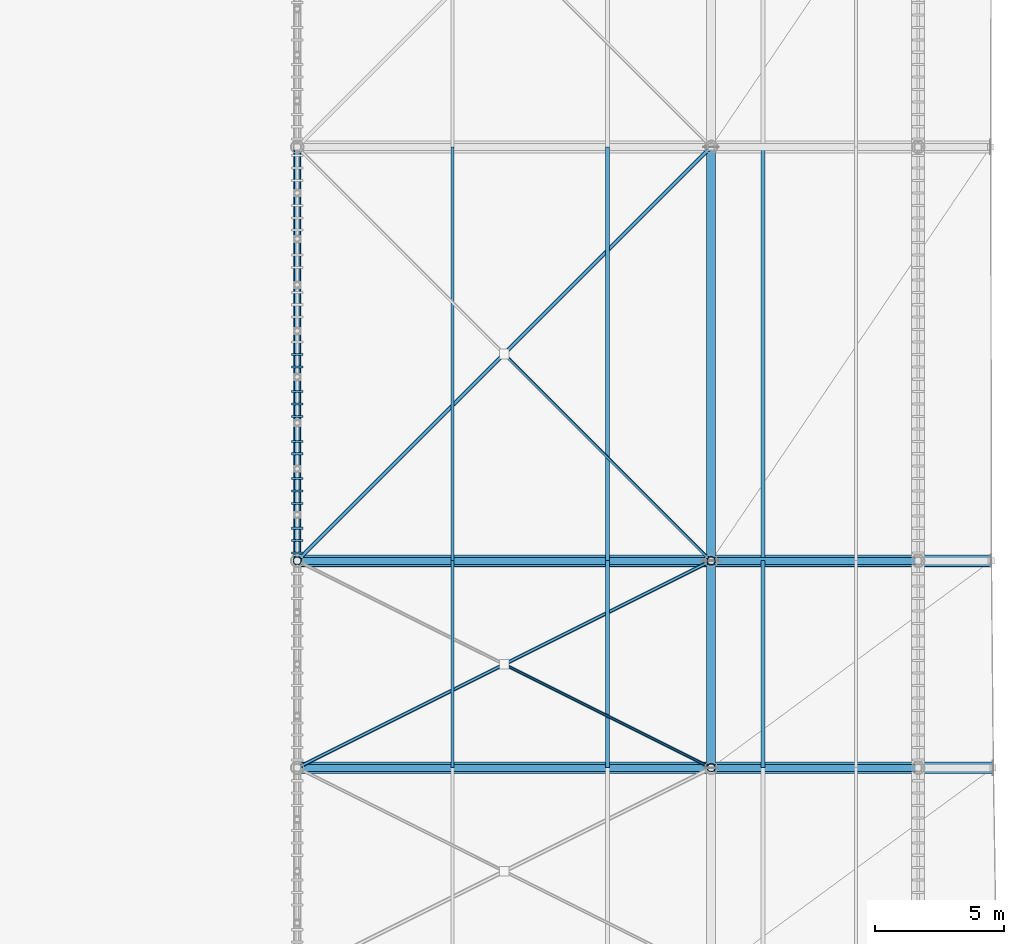
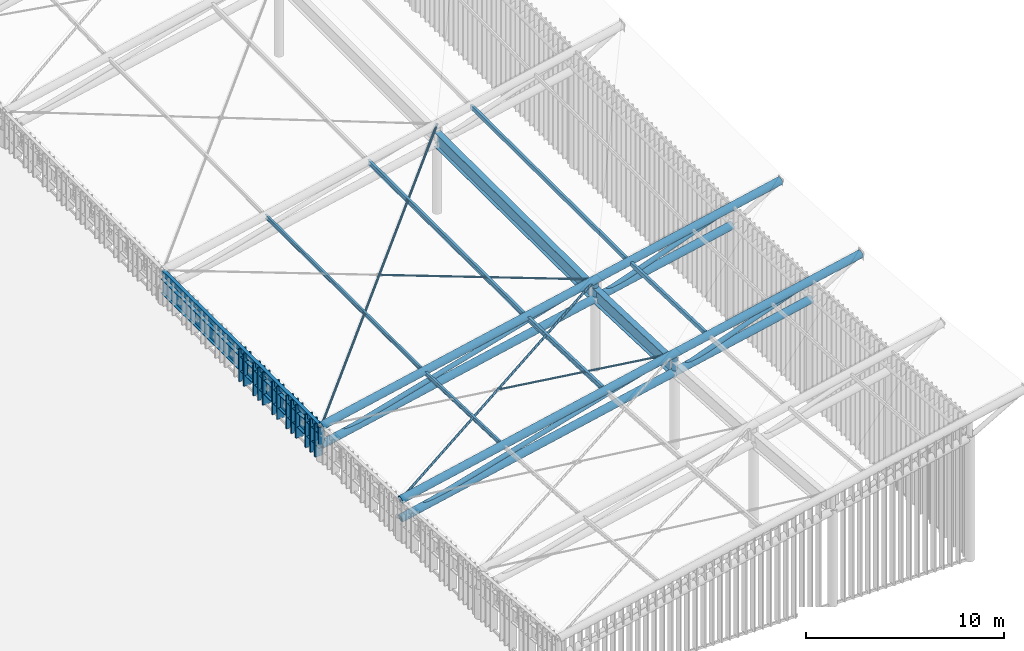
# One storey, part 5 of 25: 34 members, 4 beams.
"""IFC4 building model written with IfcOpenShell, lengths in metres."""

from ifc_helpers import new_model, si_unit, direction, frame, origin, origin_2d, place, context, subcontext, project, spatial, rectangle, hollow_rectangle, hollow_circle, i_section, extrude, material, material_profile, profile_set, type_object, element, save


model = new_model("IFC4")

# Units and contexts
model_context = context("Model", 3, precision=1e-05, world=origin(), true_north=direction((0.0, 1.0)))
body_context = subcontext(model_context, "Body", "Model", "MODEL_VIEW")
ifc_project = project(units=[si_unit("LENGTHUNIT", "METRE"), si_unit("AREAUNIT", "SQUARE_METRE"), si_unit("VOLUMEUNIT", "CUBIC_METRE"), si_unit("PLANEANGLEUNIT", "RADIAN"), si_unit("MASSUNIT", "GRAM", prefix="KILO")], contexts=[model_context])

# Site, building, storey
site_placement = place(None, origin())
site = spatial("IfcSite", under=ifc_project, at=site_placement, CompositionType="ELEMENT")
building_placement = place(site_placement, origin())
building = spatial("IfcBuilding", under=site, at=building_placement, Name="Haebicheon Civic Stadium", CompositionType="ELEMENT")
storey_placement = place(building_placement, frame((0.0, 0.0, 31.199951171875)))
storey = spatial("IfcBuildingStorey", under=building, at=storey_placement, Name="RF", CompositionType="ELEMENT", Elevation=31.199951171875)

# Members
ifc_material_1 = material(Name="White painted steel SM490", Category="steel")
ifc_material_profile_1 = material_profile(ifc_material_1, hollow_circle(Radius=0.05712890625, WallThickness=0.006103515625, at=origin_2d()), Name="CHS-114.3x6.0")
ifc_profile_set_1 = profile_set([ifc_material_profile_1], Name="White painted steel SM490")
member_type_1 = type_object("IfcMemberType", Name="BRC-CHS114", PredefinedType="BRACE", material=ifc_profile_set_1)
member_1_placement = place(storey_placement, frame((56.06298828125, 67.968017578125, 3.95703125), z_axis=(0.875639424288, -0.437765843216, 0.204001630254), x_axis=(0.447169574081, 0.894449200355, 0.0)))
element("IfcMember", 1, at=member_1_placement, inside=storey, type_object=member_type_1, material=ifc_profile_set_1, Name="BR114 diagonal brace CAN-WEST canopy bay 3 B2", PredefinedType="BRACE", context=body_context, shape_type="SweptSolid", body=[
    extrude(hollow_circle(Radius=0.05712890625, WallThickness=0.006103515625, at=origin_2d()), origin(), (0.0, 0.0, 1.0), 9.064208984375),
])
member_2_placement = place(storey_placement, frame((56.050048828125, 79.949951171875, 3.760009765625), z_axis=(0.698626478489, -0.698626478489, 0.154408831056), x_axis=(0.707106781187, 0.707106781187, 0.0)))
element("IfcMember", 2, at=member_2_placement, inside=storey, type_object=member_type_1, material=ifc_profile_set_1, Name="BR114 diagonal brace CAN-WEST canopy bay 4 B2", PredefinedType="BRACE", context=body_context, shape_type="SweptSolid", body=[
    extrude(hollow_circle(Radius=0.05712890625, WallThickness=0.006103515625, at=origin_2d()), origin(), (0.0, 0.0, 1.0), 11.37939453125),
])
ifc_material_2 = material(Name="White painted steel SM490", Category="steel")
ifc_material_profile_2 = material_profile(ifc_material_2, hollow_circle(Radius=0.06982421875, WallThickness=0.006591796875, at=origin_2d()), Name="CHS-139.8x6.6")
ifc_profile_set_2 = profile_set([ifc_material_profile_2], Name="White painted steel SM490")
member_type_2 = type_object("IfcMemberType", Name="BRC-CHS139", PredefinedType="BRACE", material=ifc_profile_set_2)
member_3_placement = place(storey_placement, frame((48.0, 64.0, 2.365966796875), z_axis=(0.880865007472, 0.440432503736, 0.173482126639), x_axis=(-0.4472135955, 0.894427191, 0.0)))
element("IfcMember", 3, at=member_3_placement, inside=storey, type_object=member_type_2, material=ifc_profile_set_2, Name="BR139 diagonal brace CAN-WEST canopy bay 3 A", PredefinedType="BRACE", context=body_context, shape_type="SweptSolid", body=[
    extrude(hollow_circle(Radius=0.06982421875, WallThickness=0.006591796875, at=origin_2d()), origin(), (0.0, 0.0, 1.0), 18.1640625),
])
member_4_placement = place(storey_placement, frame((48.0, 72.0, 2.0771484375), z_axis=(0.699509251309, 0.699509251309, 0.146197177356), x_axis=(-0.707106781187, 0.707106781187, 0.0)))
element("IfcMember", 4, at=member_4_placement, inside=storey, type_object=member_type_2, material=ifc_profile_set_2, Name="BR139 diagonal brace CAN-WEST canopy bay 4 A", PredefinedType="BRACE", context=body_context, shape_type="SweptSolid", body=[
    extrude(hollow_circle(Radius=0.06982421875, WallThickness=0.006591796875, at=origin_2d()), origin(), (0.0, 0.0, 1.0), 22.873291015625),
])
ifc_material_3 = material(Name="White painted steel SM490", Category="steel")
ifc_material_profile_3 = material_profile(ifc_material_3, hollow_circle(Radius=0.1337890625, WallThickness=0.011962890625, at=origin_2d()), Name="CHS-267.4x12.0")
ifc_profile_set_3 = profile_set([ifc_material_profile_3], Name="White painted steel SM490")
member_type_3 = type_object("IfcMemberType", Name="BRC-CHS267", PredefinedType="BRACE", material=ifc_profile_set_3)
member_5_placement = place(storey_placement, frame((48.0, 64.0, 1.216064453125), z_axis=(0.961227278426, 0.0, 0.275757355678), x_axis=(0.0, 1.0, 0.0)))
element("IfcMember", 5, at=member_5_placement, inside=storey, type_object=member_type_3, material=ifc_profile_set_3, Name="BR267 diagonal brace CAN-WEST truss 3 D1", PredefinedType="BRACE", context=body_context, shape_type="SweptSolid", body=[
    extrude(hollow_circle(Radius=0.1337890625, WallThickness=0.011962890625, at=origin_2d()), origin(), (0.0, 0.0, 1.0), 16.6455078125),
])
member_6_placement = place(storey_placement, frame((64.0, 64.0, 4.656005859375), z_axis=(0.941257424358, 0.0, 0.337689888939), x_axis=(0.0, 1.0, 0.0)))
element("IfcMember", 6, at=member_6_placement, inside=storey, type_object=member_type_3, material=ifc_profile_set_3, Name="BR267 diagonal brace CAN-WEST truss 3 D2", PredefinedType="BRACE", context=body_context, shape_type="SweptSolid", body=[
    extrude(hollow_circle(Radius=0.1337890625, WallThickness=0.011962890625, at=origin_2d()), origin(), (0.0, 0.0, 1.0), 8.499267578125),
])
member_7_placement = place(storey_placement, frame((48.0, 72.0, 0.927001953125), z_axis=(0.961227278426, 0.0, 0.275757355678), x_axis=(0.0, 1.0, 0.0)))
element("IfcMember", 7, at=member_7_placement, inside=storey, type_object=member_type_3, material=ifc_profile_set_3, Name="BR267 diagonal brace CAN-WEST truss 4 D1", PredefinedType="BRACE", context=body_context, shape_type="SweptSolid", body=[
    extrude(hollow_circle(Radius=0.1337890625, WallThickness=0.011962890625, at=origin_2d()), origin(), (0.0, 0.0, 1.0), 16.6455078125),
])
member_8_placement = place(storey_placement, frame((64.0, 72.0, 4.366943359375), z_axis=(0.941257424358, 0.0, 0.337689888939), x_axis=(0.0, 1.0, 0.0)))
element("IfcMember", 8, at=member_8_placement, inside=storey, type_object=member_type_3, material=ifc_profile_set_3, Name="BR267 diagonal brace CAN-WEST truss 4 D2", PredefinedType="BRACE", context=body_context, shape_type="SweptSolid", body=[
    extrude(hollow_circle(Radius=0.1337890625, WallThickness=0.011962890625, at=origin_2d()), origin(), (0.0, 0.0, 1.0), 8.499267578125),
])
ifc_material_4 = material(Name="White painted steel SM490", Category="steel")
ifc_material_profile_4 = material_profile(ifc_material_4, hollow_circle(Radius=0.228515625, WallThickness=0.02197265625, at=origin_2d()), Name="CHS-457.2x22.0")
ifc_profile_set_4 = profile_set([ifc_material_profile_4], Name="White painted steel SM490")
member_type_4 = type_object("IfcMemberType", Name="CHD-CHS457", PredefinedType="CHORD", material=ifc_profile_set_4)
member_9_placement = place(storey_placement, frame((48.0, 64.0, 2.365966796875), z_axis=(0.977661174499, 0.0, 0.21018712586), x_axis=(0.0, 1.0, 0.0)))
element("IfcMember", 9, at=member_9_placement, inside=storey, type_object=member_type_4, material=ifc_profile_set_4, Name="CH457 truss chord CAN-WEST 3 top", PredefinedType="CHORD", context=body_context, shape_type="SweptSolid", body=[
    extrude(hollow_circle(Radius=0.228515625, WallThickness=0.02197265625, at=origin_2d()), origin(), (0.0, 0.0, 1.0), 27.5146484375),
])
member_10_placement = place(storey_placement, frame((48.0, 64.0, 1.216064453125), z_axis=(0.977659849808, 0.0, 0.210193287411), x_axis=(0.0, 1.0, 0.0)))
element("IfcMember", 10, at=member_10_placement, inside=storey, type_object=member_type_4, material=ifc_profile_set_4, Name="CH457 truss chord CAN-WEST 3 bottom", PredefinedType="CHORD", context=body_context, shape_type="SweptSolid", body=[
    extrude(hollow_circle(Radius=0.228515625, WallThickness=0.02197265625, at=origin_2d()), origin(), (0.0, 0.0, 1.0), 24.54833984375),
])
member_11_placement = place(storey_placement, frame((48.0, 72.0, 2.0771484375), z_axis=(0.977662999534, 0.0, 0.210178636742), x_axis=(0.0, 1.0, 0.0)))
element("IfcMember", 11, at=member_11_placement, inside=storey, type_object=member_type_4, material=ifc_profile_set_4, Name="CH457 truss chord CAN-WEST 4 top", PredefinedType="CHORD", context=body_context, shape_type="SweptSolid", body=[
    extrude(hollow_circle(Radius=0.228515625, WallThickness=0.02197265625, at=origin_2d()), origin(), (0.0, 0.0, 1.0), 27.437744140625),
])
member_12_placement = place(storey_placement, frame((48.0, 72.0, 0.927001953125), z_axis=(0.977657806038, 0.0, 0.210202793258), x_axis=(0.0, 1.0, 0.0)))
element("IfcMember", 12, at=member_12_placement, inside=storey, type_object=member_type_4, material=ifc_profile_set_4, Name="CH457 truss chord CAN-WEST 4 bottom", PredefinedType="CHORD", context=body_context, shape_type="SweptSolid", body=[
    extrude(hollow_circle(Radius=0.228515625, WallThickness=0.02197265625, at=origin_2d()), origin(), (0.0, 0.0, 1.0), 24.548583984375),
])
ifc_material_5 = material(Name="Acetylated timber GL28h", Category="wood")
ifc_material_profile_5 = material_profile(ifc_material_5, rectangle(XDim=0.080078125, YDim=0.43994140625, at=origin_2d()), Name="TMB-LOUV-80x440")
ifc_profile_set_5 = profile_set([ifc_material_profile_5], Name="Acetylated timber GL28h")
member_type_5 = type_object("IfcMemberType", Name="CRN-LVR-440x80", PredefinedType="PLATE", material=ifc_profile_set_5)
member_13_placement = place(storey_placement, frame((48.0, 72.300048828125, 0.050048828125), z_axis=(0.0, 0.0, 1.0), x_axis=(0.0, 1.0, 0.0)))
element("IfcMember", 13, at=member_13_placement, inside=storey, type_object=member_type_5, material=ifc_profile_set_5, Name="Crown wind-baffle slat W.4.1", PredefinedType="PLATE", context=body_context, shape_type="SweptSolid", body=[
    extrude(rectangle(XDim=0.080078125, YDim=0.43994140625, at=origin_2d()), origin(), (0.0, 0.0, 1.0), 2.053955078125),
])
member_14_placement = place(storey_placement, frame((48.0, 72.780029296875, 0.050048828125), z_axis=(0.0, 0.0, 1.0), x_axis=(0.0, 1.0, 0.0)))
element("IfcMember", 14, at=member_14_placement, inside=storey, type_object=member_type_5, material=ifc_profile_set_5, Name="Crown wind-baffle slat W.4.2", PredefinedType="PLATE", context=body_context, shape_type="SweptSolid", body=[
    extrude(rectangle(XDim=0.080078125, YDim=0.43994140625, at=origin_2d()), origin(), (0.0, 0.0, 1.0), 2.051025390625),
])
member_15_placement = place(storey_placement, frame((48.0, 73.260009765625, 0.050048828125), z_axis=(0.0, 0.0, 1.0), x_axis=(0.0, 1.0, 0.0)))
element("IfcMember", 15, at=member_15_placement, inside=storey, type_object=member_type_5, material=ifc_profile_set_5, Name="Crown wind-baffle slat W.4.3", PredefinedType="PLATE", context=body_context, shape_type="SweptSolid", body=[
    extrude(rectangle(XDim=0.080078125, YDim=0.43994140625, at=origin_2d()), origin(), (0.0, 0.0, 1.0), 2.048095703125),
])
member_16_placement = place(storey_placement, frame((48.0, 74.219970703125, 0.050048828125), z_axis=(0.0, 0.0, 1.0), x_axis=(0.0, 1.0, 0.0)))
element("IfcMember", 16, at=member_16_placement, inside=storey, type_object=member_type_5, material=ifc_profile_set_5, Name="Crown wind-baffle slat W.4.5", PredefinedType="PLATE", context=body_context, shape_type="SweptSolid", body=[
    extrude(rectangle(XDim=0.080078125, YDim=0.43994140625, at=origin_2d()), origin(), (0.0, 0.0, 1.0), 2.04296875),
])
member_17_placement = place(storey_placement, frame((48.0, 74.699951171875, 0.050048828125), z_axis=(0.0, 0.0, 1.0), x_axis=(0.0, 1.0, 0.0)))
element("IfcMember", 17, at=member_17_placement, inside=storey, type_object=member_type_5, material=ifc_profile_set_5, Name="Crown wind-baffle slat W.4.6", PredefinedType="PLATE", context=body_context, shape_type="SweptSolid", body=[
    extrude(rectangle(XDim=0.080078125, YDim=0.43994140625, at=origin_2d()), origin(), (0.0, 0.0, 1.0), 2.0400390625),
])
member_18_placement = place(storey_placement, frame((48.0, 75.179931640625, 0.050048828125), z_axis=(0.0, 0.0, 1.0), x_axis=(0.0, 1.0, 0.0)))
element("IfcMember", 18, at=member_18_placement, inside=storey, type_object=member_type_5, material=ifc_profile_set_5, Name="Crown wind-baffle slat W.4.7", PredefinedType="PLATE", context=body_context, shape_type="SweptSolid", body=[
    extrude(rectangle(XDim=0.080078125, YDim=0.43994140625, at=origin_2d()), origin(), (0.0, 0.0, 1.0), 2.037109375),
])
member_19_placement = place(storey_placement, frame((48.0, 76.139892578125, 0.050048828125), z_axis=(0.0, 0.0, 1.0), x_axis=(0.0, 1.0, 0.0)))
element("IfcMember", 19, at=member_19_placement, inside=storey, type_object=member_type_5, material=ifc_profile_set_5, Name="Crown wind-baffle slat W.4.9", PredefinedType="PLATE", context=body_context, shape_type="SweptSolid", body=[
    extrude(rectangle(XDim=0.080078125, YDim=0.43994140625, at=origin_2d()), origin(), (0.0, 0.0, 1.0), 2.031005859375),
])
member_20_placement = place(storey_placement, frame((48.0, 76.6201171875, 0.050048828125), z_axis=(0.0, 0.0, 1.0), x_axis=(0.0, 1.0, 0.0)))
element("IfcMember", 20, at=member_20_placement, inside=storey, type_object=member_type_5, material=ifc_profile_set_5, Name="Crown wind-baffle slat W.4.10", PredefinedType="PLATE", context=body_context, shape_type="SweptSolid", body=[
    extrude(rectangle(XDim=0.080078125, YDim=0.43994140625, at=origin_2d()), origin(), (0.0, 0.0, 1.0), 2.028076171875),
])
member_21_placement = place(storey_placement, frame((48.0, 77.580078125, 0.050048828125), z_axis=(0.0, 0.0, 1.0), x_axis=(0.0, 1.0, 0.0)))
element("IfcMember", 21, at=member_21_placement, inside=storey, type_object=member_type_5, material=ifc_profile_set_5, Name="Crown wind-baffle slat W.4.12", PredefinedType="PLATE", context=body_context, shape_type="SweptSolid", body=[
    extrude(rectangle(XDim=0.080078125, YDim=0.43994140625, at=origin_2d()), origin(), (0.0, 0.0, 1.0), 2.02294921875),
])
member_22_placement = place(storey_placement, frame((48.0, 78.06005859375, 0.050048828125), z_axis=(0.0, 0.0, 1.0), x_axis=(0.0, 1.0, 0.0)))
element("IfcMember", 22, at=member_22_placement, inside=storey, type_object=member_type_5, material=ifc_profile_set_5, Name="Crown wind-baffle slat W.4.13", PredefinedType="PLATE", context=body_context, shape_type="SweptSolid", body=[
    extrude(rectangle(XDim=0.080078125, YDim=0.43994140625, at=origin_2d()), origin(), (0.0, 0.0, 1.0), 2.02001953125),
])
member_23_placement = place(storey_placement, frame((48.0, 78.5400390625, 0.050048828125), z_axis=(0.0, 0.0, 1.0), x_axis=(0.0, 1.0, 0.0)))
element("IfcMember", 23, at=member_23_placement, inside=storey, type_object=member_type_5, material=ifc_profile_set_5, Name="Crown wind-baffle slat W.4.14", PredefinedType="PLATE", context=body_context, shape_type="SweptSolid", body=[
    extrude(rectangle(XDim=0.080078125, YDim=0.43994140625, at=origin_2d()), origin(), (0.0, 0.0, 1.0), 2.01708984375),
])
member_24_placement = place(storey_placement, frame((48.0, 79.5, 0.050048828125), z_axis=(0.0, 0.0, 1.0), x_axis=(0.0, 1.0, 0.0)))
element("IfcMember", 24, at=member_24_placement, inside=storey, type_object=member_type_5, material=ifc_profile_set_5, Name="Crown wind-baffle slat W.4.16", PredefinedType="PLATE", context=body_context, shape_type="SweptSolid", body=[
    extrude(rectangle(XDim=0.080078125, YDim=0.43994140625, at=origin_2d()), origin(), (0.0, 0.0, 1.0), 2.010986328125),
])
member_25_placement = place(storey_placement, frame((48.0, 79.97998046875, 0.050048828125), z_axis=(0.0, 0.0, 1.0), x_axis=(0.0, 1.0, 0.0)))
element("IfcMember", 25, at=member_25_placement, inside=storey, type_object=member_type_5, material=ifc_profile_set_5, Name="Crown wind-baffle slat W.4.17", PredefinedType="PLATE", context=body_context, shape_type="SweptSolid", body=[
    extrude(rectangle(XDim=0.080078125, YDim=0.43994140625, at=origin_2d()), origin(), (0.0, 0.0, 1.0), 2.008056640625),
])
ifc_material_6 = material(Name="White painted steel SM490", Category="steel")
ifc_material_profile_6 = material_profile(ifc_material_6, hollow_rectangle(XDim=0.14990234375, YDim=0.25, WallThickness=0.010009765625, at=origin_2d()), Name="RHS-250x150x10.0")
ifc_profile_set_6 = profile_set([ifc_material_profile_6], Name="White painted steel SM490")
member_type_6 = type_object("IfcMemberType", Name="PRL-RHS250", PredefinedType="PURLIN", material=ifc_profile_set_6)
member_26_placement = place(storey_placement, frame((66.0, 64.0, 6.195068359375), z_axis=(0.0, 0.999347848438, -0.03610924843), x_axis=(-1.0, 0.0, 0.0)))
element("IfcMember", 26, at=member_26_placement, inside=storey, type_object=member_type_6, material=ifc_profile_set_6, Name="CAN-WEST canopy purlin bay 3 (75%)", PredefinedType="PURLIN", context=body_context, shape_type="SweptSolid", body=[
    extrude(hollow_rectangle(XDim=0.14990234375, YDim=0.25, WallThickness=0.010009765625, at=origin_2d()), origin(), (0.0, 0.0, 1.0), 8.005126953125),
])
member_27_placement = place(storey_placement, frame((66.0, 72.0, 5.906005859375), z_axis=(0.0, 0.999982020255, -0.005996596282), x_axis=(-1.0, 0.0, 0.0)))
element("IfcMember", 27, at=member_27_placement, inside=storey, type_object=member_type_6, material=ifc_profile_set_6, Name="CAN-WEST canopy purlin bay 4 (75%)", PredefinedType="PURLIN", context=body_context, shape_type="SweptSolid", body=[
    extrude(hollow_rectangle(XDim=0.14990234375, YDim=0.25, WallThickness=0.010009765625, at=origin_2d()), origin(), (0.0, 0.0, 1.0), 16.000244140625),
])
ifc_material_7 = material(Name="White painted steel SM490", Category="steel")
ifc_material_profile_7 = material_profile(ifc_material_7, i_section(OverallWidth=0.125, OverallDepth=0.25, WebThickness=0.006103515625, FlangeThickness=0.009033203125, at=origin_2d()), Name="H-250x125x6x9")
ifc_profile_set_7 = profile_set([ifc_material_profile_7], Name="White painted steel SM490")
member_type_7 = type_object("IfcMemberType", Name="PRL-ST-H250", PredefinedType="PURLIN", material=ifc_profile_set_7)
member_28_placement = place(storey_placement, frame((54.0, 64.0, 3.614990234375), z_axis=(0.0, 0.999347848438, -0.03610924843), x_axis=(-1.0, 0.0, 0.0)))
element("IfcMember", 28, at=member_28_placement, inside=storey, type_object=member_type_7, material=ifc_profile_set_7, Name="CAN-WEST canopy purlin bay 3 (25%)", PredefinedType="PURLIN", context=body_context, shape_type="SweptSolid", body=[
    extrude(i_section(OverallWidth=0.125, OverallDepth=0.25, WebThickness=0.006103515625, FlangeThickness=0.009033203125, at=origin_2d()), origin(), (0.0, 0.0, 1.0), 8.005126953125),
])
member_29_placement = place(storey_placement, frame((54.0, 72.0, 3.325927734375), z_axis=(0.0, 0.999982020255, -0.005996596282), x_axis=(-1.0, 0.0, 0.0)))
element("IfcMember", 29, at=member_29_placement, inside=storey, type_object=member_type_7, material=ifc_profile_set_7, Name="CAN-WEST canopy purlin bay 4 (25%)", PredefinedType="PURLIN", context=body_context, shape_type="SweptSolid", body=[
    extrude(i_section(OverallWidth=0.125, OverallDepth=0.25, WebThickness=0.006103515625, FlangeThickness=0.009033203125, at=origin_2d()), origin(), (0.0, 0.0, 1.0), 16.000244140625),
])
ifc_material_8 = material(Name="White painted steel SM490", Category="steel")
ifc_material_profile_8 = material_profile(ifc_material_8, i_section(OverallWidth=0.14990234375, OverallDepth=0.300048828125, WebThickness=0.006591796875, FlangeThickness=0.009033203125, at=origin_2d()), Name="H-300x150x6.5x9")
ifc_profile_set_8 = profile_set([ifc_material_profile_8], Name="White painted steel SM490")
member_type_8 = type_object("IfcMemberType", Name="PRL-ST-H300", PredefinedType="PURLIN", material=ifc_profile_set_8)
member_30_placement = place(storey_placement, frame((60.0, 64.0, 4.880126953125), z_axis=(0.0, 0.999347848438, -0.03610924843), x_axis=(-1.0, 0.0, 0.0)))
element("IfcMember", 30, at=member_30_placement, inside=storey, type_object=member_type_8, material=ifc_profile_set_8, Name="CAN-WEST canopy purlin bay 3 (50%)", PredefinedType="PURLIN", context=body_context, shape_type="SweptSolid", body=[
    extrude(i_section(OverallWidth=0.14990234375, OverallDepth=0.300048828125, WebThickness=0.006591796875, FlangeThickness=0.009033203125, at=origin_2d()), origin(), (0.0, 0.0, 1.0), 8.005126953125),
])
member_31_placement = place(storey_placement, frame((60.0, 72.0, 4.591064453125), z_axis=(0.0, 0.999982020255, -0.005996596282), x_axis=(-1.0, 0.0, 0.0)))
element("IfcMember", 31, at=member_31_placement, inside=storey, type_object=member_type_8, material=ifc_profile_set_8, Name="CAN-WEST canopy purlin bay 4 (50%)", PredefinedType="PURLIN", context=body_context, shape_type="SweptSolid", body=[
    extrude(i_section(OverallWidth=0.14990234375, OverallDepth=0.300048828125, WebThickness=0.006591796875, FlangeThickness=0.009033203125, at=origin_2d()), origin(), (0.0, 0.0, 1.0), 16.000244140625),
])

# Beams
ifc_material_9 = material(Name="White painted steel SM490", Category="steel")
ifc_material_profile_9 = material_profile(ifc_material_9, i_section(OverallWidth=0.35009765625, OverallDepth=0.89990234375, WebThickness=0.01806640625, FlangeThickness=0.031982421875, at=origin_2d()), Name="H-900x350x18x32")
ifc_profile_set_9 = profile_set([ifc_material_profile_9], Name="White painted steel SM490")
beam_type_1 = type_object("IfcBeamType", Name="RB-ST-H900A", PredefinedType="USERDEFINED", material=ifc_profile_set_9)
beam_1_placement = place(storey_placement, frame((64.0, 64.0, 4.906005859375), z_axis=(0.0, 0.999347848438, -0.03610924843), x_axis=(-1.0, 0.0, 0.0)))
element("IfcBeam", 32, at=beam_1_placement, inside=storey, type_object=beam_type_1, material=ifc_profile_set_9, Name="CAN-WEST polygonal ring beam RB-PIV bay 3", ObjectType="RING BEAM", PredefinedType="USERDEFINED", context=body_context, shape_type="SweptSolid", body=[
    extrude(i_section(OverallWidth=0.35009765625, OverallDepth=0.89990234375, WebThickness=0.01806640625, FlangeThickness=0.031982421875, at=origin_2d()), origin(), (0.0, 0.0, 1.0), 8.005126953125),
])
beam_2_placement = place(storey_placement, frame((64.0, 72.0, 4.616943359375), z_axis=(0.0, 0.999982020255, -0.005996596282), x_axis=(-1.0, 0.0, 0.0)))
element("IfcBeam", 33, at=beam_2_placement, inside=storey, type_object=beam_type_1, material=ifc_profile_set_9, Name="CAN-WEST polygonal ring beam RB-PIV bay 4", ObjectType="RING BEAM", PredefinedType="USERDEFINED", context=body_context, shape_type="SweptSolid", body=[
    extrude(i_section(OverallWidth=0.35009765625, OverallDepth=0.89990234375, WebThickness=0.01806640625, FlangeThickness=0.031982421875, at=origin_2d()), origin(), (0.0, 0.0, 1.0), 16.000244140625),
])
ifc_material_10 = material(Name="White painted steel SM490", Category="steel")
ifc_material_profile_10 = material_profile(ifc_material_10, i_section(OverallWidth=0.300048828125, OverallDepth=0.89990234375, WebThickness=0.01611328125, FlangeThickness=0.028076171875, at=origin_2d()), Name="H-900x300x16x28")
ifc_profile_set_10 = profile_set([ifc_material_profile_10], Name="White painted steel SM490")
beam_type_2 = type_object("IfcBeamType", Name="RB-ST-H900B", PredefinedType="USERDEFINED", material=ifc_profile_set_10)
beam_3_placement = place(storey_placement, frame((48.0, 72.0, 1.177001953125), z_axis=(0.0, 0.999982020255, -0.005996596282), x_axis=(-1.0, 0.0, 0.0)))
element("IfcBeam", 34, at=beam_3_placement, inside=storey, type_object=beam_type_2, material=ifc_profile_set_10, Name="CAN-WEST polygonal ring beam RB-BCK bay 4", ObjectType="RING BEAM", PredefinedType="USERDEFINED", context=body_context, shape_type="SweptSolid", body=[
    extrude(i_section(OverallWidth=0.300048828125, OverallDepth=0.89990234375, WebThickness=0.01611328125, FlangeThickness=0.028076171875, at=origin_2d()), origin(), (0.0, 0.0, 1.0), 16.000244140625),
])
ifc_material_11 = material(Name="White painted steel SM490", Category="steel")
ifc_material_profile_11 = material_profile(ifc_material_11, hollow_rectangle(XDim=0.199951171875, YDim=0.300048828125, WallThickness=0.011962890625, at=origin_2d()), Name="RHS-300x200x12.0")
ifc_profile_set_11 = profile_set([ifc_material_profile_11], Name="White painted steel SM490")
beam_type_3 = type_object("IfcBeamType", Name="RB-ST-RHS300", PredefinedType="USERDEFINED", material=ifc_profile_set_11)
beam_4_placement = place(storey_placement, frame((48.0, 72.0, 1.97705078125), z_axis=(0.0, 0.999982020255, -0.005996596282), x_axis=(-1.0, 0.0, 0.0)))
element("IfcBeam", 35, at=beam_4_placement, inside=storey, type_object=beam_type_3, material=ifc_profile_set_11, Name="CAN-WEST polygonal ring beam RB-TOP bay 4", ObjectType="RING BEAM", PredefinedType="USERDEFINED", context=body_context, shape_type="SweptSolid", body=[
    extrude(hollow_rectangle(XDim=0.199951171875, YDim=0.300048828125, WallThickness=0.011962890625, at=origin_2d()), origin(), (0.0, 0.0, 1.0), 16.000244140625),
])

# Members
ifc_material_12 = material(Name="White painted steel SM490", Category="steel")
ifc_material_profile_12 = material_profile(ifc_material_12, hollow_circle(Radius=0.1591796875, WallThickness=0.013916015625, at=origin_2d()), Name="CHS-318.5x14.0")
ifc_profile_set_12 = profile_set([ifc_material_profile_12], Name="White painted steel SM490")
member_type_9 = type_object("IfcMemberType", Name="STR-CHS318", PredefinedType="STRUT", material=ifc_profile_set_12)
for number, where, z_axis, x_axis, name in (
    (36, (64.0, 64.0, 4.656005859375), (0.0, 0.0, 1.0), (1.0, 0.0, 0.0), "ST318 web strut CAN-WEST truss 3 VP"),
    (37, (48.0, 72.0, 0.927001953125), (0.0, 0.0, 1.0), (1.0, 0.0, 0.0), "ST318 web strut CAN-WEST truss 4 VB"),
    (38, (64.0, 72.0, 4.366943359375), (0.0, 0.0, 1.0), (1.0, 0.0, 0.0), "ST318 web strut CAN-WEST truss 4 VP"),
):
    element("IfcMember", number, at=place(storey_placement, frame(where, z_axis=z_axis, x_axis=x_axis)), inside=storey, type_object=member_type_9, material=ifc_profile_set_12, Name=name, PredefinedType="STRUT", context=body_context, shape_type="SweptSolid", body=[
        extrude(hollow_circle(Radius=0.1591796875, WallThickness=0.013916015625, at=origin_2d()), origin(), (0.0, 0.0, 1.0), 1.150146484375),
    ])

save(model, "model.ifc")
